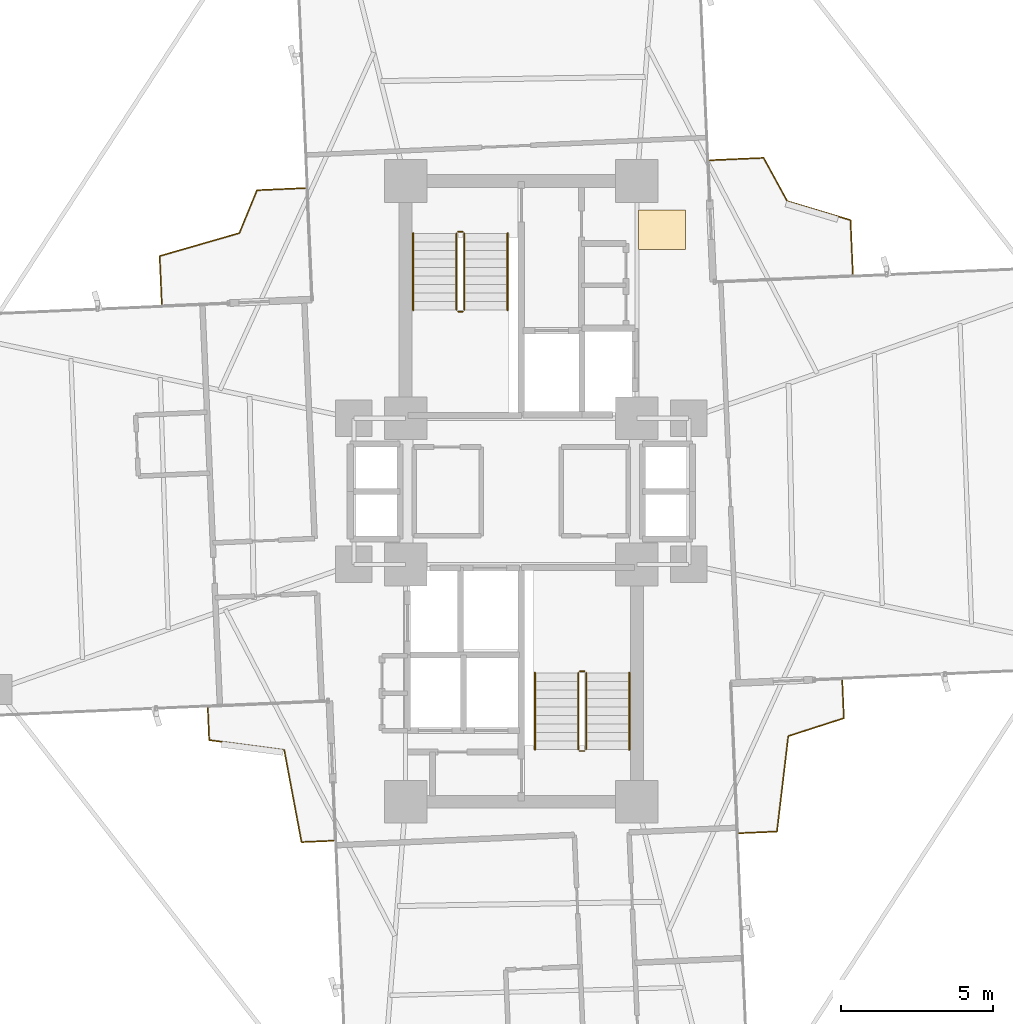
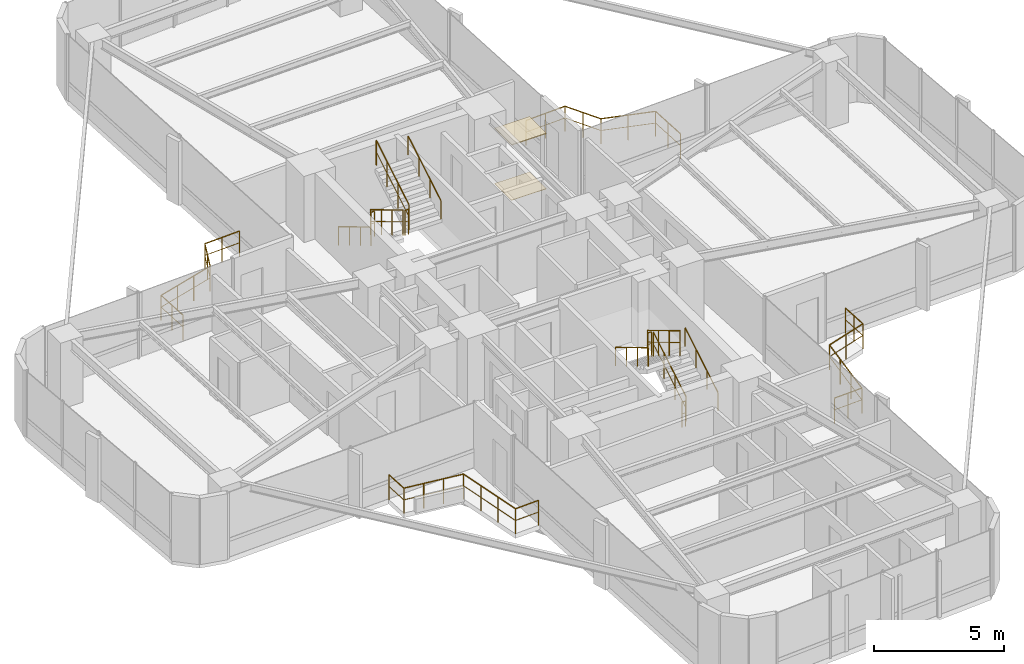
# One storey, part 26 of 26: 16 railings, 2 coverings.
"""IFC4 building model written with IfcOpenShell, lengths in metres."""

from ifc_helpers import new_model, si_unit, direction, frame, origin, origin_2d, place, context, subcontext, project, spatial, polyline, circle, outline, extrude, material, layer, layer_set, type_object, element, save


model = new_model("IFC4")

# Units and contexts
model_context = context("Model", 3, precision=1e-05, world=origin(), true_north=direction((0.0, 1.0)))
body_context = subcontext(model_context, "Body", "Model", "MODEL_VIEW")
ifc_project = project(units=[si_unit("LENGTHUNIT", "METRE"), si_unit("AREAUNIT", "SQUARE_METRE"), si_unit("VOLUMEUNIT", "CUBIC_METRE"), si_unit("PLANEANGLEUNIT", "RADIAN"), si_unit("MASSUNIT", "GRAM", prefix="KILO")], contexts=[model_context])

# Site, building, storey
site_placement = place(None, origin())
site = spatial("IfcSite", under=ifc_project, at=site_placement, CompositionType="ELEMENT")
building_placement = place(site_placement, origin())
building = spatial("IfcBuilding", under=site, at=building_placement, Name="Sahyath Konkavel Grand Hotel", CompositionType="ELEMENT")
storey_placement = place(building_placement, frame((0.0, 0.0, 121.5)))
storey = spatial("IfcBuildingStorey", under=building, at=storey_placement, Name="L33", CompositionType="ELEMENT", Elevation=121.5)

# Coverings
ifc_material_1 = material(Name="Perforated Acoustic Gypsum and Teak Baffle Ceiling")
ifc_layer_1 = layer(ifc_material_1, 0.044921875)
ifc_layer_set_1 = layer_set([ifc_layer_1], Name="Perforated Acoustic Gypsum and Teak Baffle Ceiling")
covering_type_1 = type_object("IfcCoveringType", Name="COV-ACOUSTIC-CLG", PredefinedType="CEILING", material=ifc_layer_set_1)
covering_1_placement = place(storey_placement, frame((0.0, 0.0, 2.590087890625)))
element("IfcCovering", 1, at=covering_1_placement, inside=storey, type_object=covering_type_1, Name="L33 Core Vestibule Acoustic Ceiling", PredefinedType="CEILING", context=body_context, shape_type="SweptSolid", body=[
    extrude(outline(polyline([(3.85009765625, 7.949951171875), (5.39990234375, 7.949951171875), (5.39990234375, 9.25), (3.85009765625, 9.25), (3.85009765625, 7.949951171875)])), origin(), (0.0, 0.0, 1.0), 0.039794921875),
])
ifc_material_2 = material(Name="Polished Konkan Aggregate Terrazzo Flooring")
ifc_layer_2 = layer(ifc_material_2, 0.02001953125)
ifc_layer_set_2 = layer_set([ifc_layer_2], Name="Polished Konkan Aggregate Terrazzo Flooring")
covering_type_2 = type_object("IfcCoveringType", Name="COV-TERRAZZO", PredefinedType="FLOORING", material=ifc_layer_set_2)
covering_2_placement = place(storey_placement, origin())
element("IfcCovering", 2, at=covering_2_placement, inside=storey, type_object=covering_type_2, Name="L33 Core Vestibule Terrazzo Flooring", PredefinedType="FLOORING", context=body_context, shape_type="SweptSolid", body=[
    extrude(outline(polyline([(3.85009765625, 7.949951171875), (5.39990234375, 7.949951171875), (5.39990234375, 9.25), (3.85009765625, 9.25), (3.85009765625, 7.949951171875)])), origin(), (0.0, 0.0, 1.0), 0.02001953125),
])

# Railings
ifc_material_3 = material(Name="Anodised Bronze Aluminium", Category="aluminium")
railing_type_1 = type_object("IfcRailingType", Name="RLG-BALC-1200", PredefinedType="GUARDRAIL", material=ifc_material_3)
railing_1_placement = place(storey_placement, frame((10.89697265625, 7.14208984375, 0.0)))
element("IfcRailing", 3, at=railing_1_placement, inside=storey, type_object=railing_type_1, Name="L33 Winter-Garden Guard NE", PredefinedType="GUARDRAIL", context=body_context, shape_type="SweptSolid", body=[
    extrude(circle(Radius=0.02392578125, at=origin_2d()), frame((0.0, 0.001953125, 1.17578125), z_axis=(-0.043747666042, 0.999042612563, 0.0), x_axis=(-0.999042612563, -0.043747666042, 0.0)), (0.0, 0.0, 1.0), 1.770751953125),
    extrude(circle(Radius=0.01416015625, at=origin_2d()), frame((0.0, 0.001953125, 0.6240234375), z_axis=(-0.043747666042, 0.999042612563, 0.0), x_axis=(-0.999042612563, -0.043747666042, 0.0)), (0.0, 0.0, 1.0), 1.770751953125),
    extrude(circle(Radius=0.02392578125, at=origin_2d()), frame((-0.07958984375, 1.7734375, 1.17578125), z_axis=(-0.957881991382, 0.287162132926, 0.0), x_axis=(-0.287162132926, -0.957881991382, 0.0)), (0.0, 0.0, 1.0), 2.16650390625),
    extrude(circle(Radius=0.01416015625, at=origin_2d()), frame((-0.07958984375, 1.7734375, 0.6240234375), z_axis=(-0.957881991382, 0.287162132926, 0.0), x_axis=(-0.287162132926, -0.957881991382, 0.0)), (0.0, 0.0, 1.0), 2.16650390625),
    extrude(circle(Radius=0.02392578125, at=origin_2d()), frame((-2.15771484375, 2.39794921875, 1.17578125), z_axis=(-0.479242888049, 0.877682319666, 0.0), x_axis=(-0.877682319666, -0.479242888049, 0.0)), (0.0, 0.0, 1.0), 1.615478515625),
    extrude(circle(Radius=0.01416015625, at=origin_2d()), frame((-2.15771484375, 2.39794921875, 0.6240234375), z_axis=(-0.479242888049, 0.877682319666, 0.0), x_axis=(-0.877682319666, -0.479242888049, 0.0)), (0.0, 0.0, 1.0), 1.615478515625),
    extrude(circle(Radius=0.02392578125, at=origin_2d()), frame((-2.934814453125, 3.817626953125, 1.17578125), z_axis=(-0.999048615823, -0.043610356818, 0.0), x_axis=(0.043610356818, -0.999048615823, 0.0)), (0.0, 0.0, 1.0), 1.770751953125),
    extrude(circle(Radius=0.01416015625, at=origin_2d()), frame((-2.934814453125, 3.817626953125, 0.6240234375), z_axis=(-0.999048615823, -0.043610356818, 0.0), x_axis=(0.043610356818, -0.999048615823, 0.0)), (0.0, 0.0, 1.0), 1.770751953125),
    extrude(circle(Radius=0.02099609375, at=origin_2d()), origin(), (0.0, 0.0, 1.0), 1.15185546875),
    extrude(circle(Radius=0.02099609375, at=origin_2d()), frame((-0.038818359375, 0.886474609375, 0.0)), (0.0, 0.0, 1.0), 1.15185546875),
    extrude(circle(Radius=0.02099609375, at=origin_2d()), frame((-0.07763671875, 1.77294921875, 0.0)), (0.0, 0.0, 1.0), 1.15185546875),
    extrude(circle(Radius=0.02099609375, at=origin_2d()), frame((-1.1171875, 2.08447265625, 0.0)), (0.0, 0.0, 1.0), 1.15185546875),
    extrude(circle(Radius=0.02099609375, at=origin_2d()), frame((-2.15673828125, 2.396240234375, 0.0)), (0.0, 0.0, 1.0), 1.15185546875),
    extrude(circle(Radius=0.02099609375, at=origin_2d()), frame((-2.544921875, 3.10693359375, 0.0)), (0.0, 0.0, 1.0), 1.15185546875),
    extrude(circle(Radius=0.02099609375, at=origin_2d()), frame((-2.932861328125, 3.817626953125, 0.0)), (0.0, 0.0, 1.0), 1.15185546875),
    extrude(circle(Radius=0.02099609375, at=origin_2d()), frame((-3.8193359375, 3.77880859375, 0.0)), (0.0, 0.0, 1.0), 1.15185546875),
    extrude(circle(Radius=0.02099609375, at=origin_2d()), frame((-4.705810546875, 3.740234375, 0.0)), (0.0, 0.0, 1.0), 1.15185546875),
])
railing_2_placement = place(storey_placement, frame((-7.1015625, 9.966796875, 0.0)))
element("IfcRailing", 4, at=railing_2_placement, inside=storey, type_object=railing_type_1, Name="L33 Winter-Garden Guard NW", PredefinedType="GUARDRAIL", context=body_context, shape_type="SweptSolid", body=[
    extrude(circle(Radius=0.02392578125, at=origin_2d()), frame((-0.001953125, 0.0, 1.17578125), z_axis=(-0.999048876488, -0.043604384955, 0.0), x_axis=(0.043604384955, -0.999048876488, 0.0)), (0.0, 0.0, 1.0), 1.58056640625),
    extrude(circle(Radius=0.01416015625, at=origin_2d()), frame((-0.001953125, 0.0, 0.6240234375), z_axis=(-0.999048876488, -0.043604384955, 0.0), x_axis=(0.043604384955, -0.999048876488, 0.0)), (0.0, 0.0, 1.0), 1.58056640625),
    extrude(circle(Radius=0.02392578125, at=origin_2d()), frame((-1.583740234375, -0.071044921875, 1.17578125), z_axis=(-0.379718101825, -0.925102244699, 0.0), x_axis=(0.925102244699, -0.379718101825, 0.0)), (0.0, 0.0, 1.0), 1.519775390625),
    extrude(circle(Radius=0.01416015625, at=origin_2d()), frame((-1.583740234375, -0.071044921875, 0.6240234375), z_axis=(-0.379718101825, -0.925102244699, 0.0), x_axis=(0.925102244699, -0.379718101825, 0.0)), (0.0, 0.0, 1.0), 1.519775390625),
    extrude(circle(Radius=0.02392578125, at=origin_2d()), frame((-2.16357421875, -1.479248046875, 1.17578125), z_axis=(-0.960913014378, -0.276850462884, 0.0), x_axis=(0.276850462884, -0.960913014378, 0.0)), (0.0, 0.0, 1.0), 2.720947265625),
    extrude(circle(Radius=0.01416015625, at=origin_2d()), frame((-2.16357421875, -1.479248046875, 0.6240234375), z_axis=(-0.960913014378, -0.276850462884, 0.0), x_axis=(0.276850462884, -0.960913014378, 0.0)), (0.0, 0.0, 1.0), 2.720947265625),
    extrude(circle(Radius=0.02392578125, at=origin_2d()), frame((-4.780029296875, -2.235107421875, 1.17578125), z_axis=(0.043604384955, -0.999048876488, 0.0), x_axis=(0.999048876488, 0.043604384955, 0.0)), (0.0, 0.0, 1.0), 1.58056640625),
    extrude(circle(Radius=0.01416015625, at=origin_2d()), frame((-4.780029296875, -2.235107421875, 0.6240234375), z_axis=(0.043604384955, -0.999048876488, 0.0), x_axis=(0.999048876488, 0.043604384955, 0.0)), (0.0, 0.0, 1.0), 1.58056640625),
    extrude(circle(Radius=0.02099609375, at=origin_2d()), origin(), (0.0, 0.0, 1.0), 1.15185546875),
    extrude(circle(Radius=0.02099609375, at=origin_2d()), frame((-0.79150390625, -0.03466796875, 0.0)), (0.0, 0.0, 1.0), 1.15185546875),
    extrude(circle(Radius=0.02099609375, at=origin_2d()), frame((-1.5830078125, -0.069091796875, 0.0)), (0.0, 0.0, 1.0), 1.15185546875),
    extrude(circle(Radius=0.02099609375, at=origin_2d()), frame((-1.872314453125, -0.77392578125, 0.0)), (0.0, 0.0, 1.0), 1.15185546875),
    extrude(circle(Radius=0.02099609375, at=origin_2d()), frame((-2.16162109375, -1.478759765625, 0.0)), (0.0, 0.0, 1.0), 1.15185546875),
    extrude(circle(Radius=0.02099609375, at=origin_2d()), frame((-3.034423828125, -1.730224609375, 0.0)), (0.0, 0.0, 1.0), 1.15185546875),
    extrude(circle(Radius=0.02099609375, at=origin_2d()), frame((-3.9072265625, -1.981689453125, 0.0)), (0.0, 0.0, 1.0), 1.15185546875),
    extrude(circle(Radius=0.02099609375, at=origin_2d()), frame((-4.780029296875, -2.233154296875, 0.0)), (0.0, 0.0, 1.0), 1.15185546875),
    extrude(circle(Radius=0.02099609375, at=origin_2d()), frame((-4.74560546875, -3.024658203125, 0.0)), (0.0, 0.0, 1.0), 1.15185546875),
    extrude(circle(Radius=0.02099609375, at=origin_2d()), frame((-4.7109375, -3.816162109375, 0.0)), (0.0, 0.0, 1.0), 1.15185546875),
])
railing_3_placement = place(storey_placement, frame((-10.301513671875, -7.1162109375, 0.0)))
element("IfcRailing", 5, at=railing_3_placement, inside=storey, type_object=railing_type_1, Name="L33 Winter-Garden Guard SW", PredefinedType="GUARDRAIL", context=body_context, shape_type="SweptSolid", body=[
    extrude(circle(Radius=0.02392578125, at=origin_2d()), frame((0.0, -0.001953125, 1.17578125), z_axis=(0.043637615768, -0.999047425546, 0.0), x_axis=(0.999047425546, 0.043637615768, 0.0)), (0.0, 0.0, 1.0), 1.053466796875),
    extrude(circle(Radius=0.01416015625, at=origin_2d()), frame((0.0, -0.001953125, 0.6240234375), z_axis=(0.043637615768, -0.999047425546, 0.0), x_axis=(0.999047425546, 0.043637615768, 0.0)), (0.0, 0.0, 1.0), 1.053466796875),
    extrude(circle(Radius=0.02392578125, at=origin_2d()), frame((0.048095703125, -1.056640625, 1.17578125), z_axis=(0.991318503654, -0.13148241066, 0.0), x_axis=(0.13148241066, 0.991318503654, 0.0)), (0.0, 0.0, 1.0), 2.484130859375),
    extrude(circle(Radius=0.01416015625, at=origin_2d()), frame((0.048095703125, -1.056640625, 0.6240234375), z_axis=(0.991318503654, -0.13148241066, 0.0), x_axis=(0.13148241066, 0.991318503654, 0.0)), (0.0, 0.0, 1.0), 2.484130859375),
    extrude(circle(Radius=0.02392578125, at=origin_2d()), frame((2.51318359375, -1.385498046875, 1.17578125), z_axis=(0.184322070095, -0.982865898521, 0.0), x_axis=(0.982865898521, 0.184322070095, 0.0)), (0.0, 0.0, 1.0), 3.072998046875),
    extrude(circle(Radius=0.01416015625, at=origin_2d()), frame((2.51318359375, -1.385498046875, 0.6240234375), z_axis=(0.184322070095, -0.982865898521, 0.0), x_axis=(0.982865898521, 0.184322070095, 0.0)), (0.0, 0.0, 1.0), 3.072998046875),
    extrude(circle(Radius=0.02392578125, at=origin_2d()), frame((3.081787109375, -4.40771484375, 1.17578125), z_axis=(0.999047425546, 0.043637615768, 0.0), x_axis=(-0.043637615768, 0.999047425546, 0.0)), (0.0, 0.0, 1.0), 1.053466796875),
    extrude(circle(Radius=0.01416015625, at=origin_2d()), frame((3.081787109375, -4.40771484375, 0.6240234375), z_axis=(0.999047425546, 0.043637615768, 0.0), x_axis=(-0.043637615768, 0.999047425546, 0.0)), (0.0, 0.0, 1.0), 1.053466796875),
    extrude(circle(Radius=0.02099609375, at=origin_2d()), origin(), (0.0, 0.0, 1.0), 1.15185546875),
    extrude(circle(Radius=0.02099609375, at=origin_2d()), frame((0.046142578125, -1.056396484375, 0.0)), (0.0, 0.0, 1.0), 1.15185546875),
    extrude(circle(Radius=0.02099609375, at=origin_2d()), frame((0.868408203125, -1.16552734375, 0.0)), (0.0, 0.0, 1.0), 1.15185546875),
    extrude(circle(Radius=0.02099609375, at=origin_2d()), frame((1.6904296875, -1.2744140625, 0.0)), (0.0, 0.0, 1.0), 1.15185546875),
    extrude(circle(Radius=0.02099609375, at=origin_2d()), frame((2.5126953125, -1.383544921875, 0.0)), (0.0, 0.0, 1.0), 1.15185546875),
    extrude(circle(Radius=0.02099609375, at=origin_2d()), frame((2.70166015625, -2.3916015625, 0.0)), (0.0, 0.0, 1.0), 1.15185546875),
    extrude(circle(Radius=0.02099609375, at=origin_2d()), frame((2.890869140625, -3.399658203125, 0.0)), (0.0, 0.0, 1.0), 1.15185546875),
    extrude(circle(Radius=0.02099609375, at=origin_2d()), frame((3.079833984375, -4.40771484375, 0.0)), (0.0, 0.0, 1.0), 1.15185546875),
    extrude(circle(Radius=0.02099609375, at=origin_2d()), frame((4.13623046875, -4.361572265625, 0.0)), (0.0, 0.0, 1.0), 1.15185546875),
])
railing_4_placement = place(storey_placement, frame((7.15673828125, -11.2314453125, 0.0)))
element("IfcRailing", 6, at=railing_4_placement, inside=storey, type_object=railing_type_1, Name="L33 Winter-Garden Guard SE", PredefinedType="GUARDRAIL", context=body_context, shape_type="SweptSolid", body=[
    extrude(circle(Radius=0.02392578125, at=origin_2d()), frame((0.001953125, 0.0, 1.17578125), z_axis=(0.999047275688, 0.043641046519, 0.0), x_axis=(-0.043641046519, 0.999047275688, 0.0)), (0.0, 0.0, 1.0), 1.243408203125),
    extrude(circle(Radius=0.01416015625, at=origin_2d()), frame((0.001953125, 0.0, 0.6240234375), z_axis=(0.999047275688, 0.043641046519, 0.0), x_axis=(-0.043641046519, 0.999047275688, 0.0)), (0.0, 0.0, 1.0), 1.243408203125),
    extrude(circle(Radius=0.02392578125, at=origin_2d()), frame((1.24658203125, 0.056396484375, 1.17578125), z_axis=(0.117819032013, 0.993035082812, 0.0), x_axis=(-0.993035082812, 0.117819032013, 0.0)), (0.0, 0.0, 1.0), 3.154052734375),
    extrude(circle(Radius=0.01416015625, at=origin_2d()), frame((1.24658203125, 0.056396484375, 0.6240234375), z_axis=(0.117819032013, 0.993035082812, 0.0), x_axis=(-0.993035082812, 0.117819032013, 0.0)), (0.0, 0.0, 1.0), 3.154052734375),
    extrude(circle(Radius=0.02392578125, at=origin_2d()), frame((1.620361328125, 3.191162109375, 1.17578125), z_axis=(0.951778123409, 0.306787228874, 0.0), x_axis=(-0.306787228874, 0.951778123409, 0.0)), (0.0, 0.0, 1.0), 1.91552734375),
    extrude(circle(Radius=0.01416015625, at=origin_2d()), frame((1.620361328125, 3.191162109375, 0.6240234375), z_axis=(0.951778123409, 0.306787228874, 0.0), x_axis=(-0.306787228874, 0.951778123409, 0.0)), (0.0, 0.0, 1.0), 1.91552734375),
    extrude(circle(Radius=0.02392578125, at=origin_2d()), frame((3.4453125, 3.78125, 1.17578125), z_axis=(-0.043641046519, 0.999047275688, 0.0), x_axis=(-0.999047275688, -0.043641046519, 0.0)), (0.0, 0.0, 1.0), 1.243408203125),
    extrude(circle(Radius=0.01416015625, at=origin_2d()), frame((3.4453125, 3.78125, 0.6240234375), z_axis=(-0.043641046519, 0.999047275688, 0.0), x_axis=(-0.999047275688, -0.043641046519, 0.0)), (0.0, 0.0, 1.0), 1.243408203125),
    extrude(circle(Radius=0.02099609375, at=origin_2d()), origin(), (0.0, 0.0, 1.0), 1.15185546875),
    extrude(circle(Radius=0.02099609375, at=origin_2d()), frame((0.623046875, 0.02734375, 0.0)), (0.0, 0.0, 1.0), 1.15185546875),
    extrude(circle(Radius=0.02099609375, at=origin_2d()), frame((1.246337890625, 0.054443359375, 0.0)), (0.0, 0.0, 1.0), 1.15185546875),
    extrude(circle(Radius=0.02099609375, at=origin_2d()), frame((1.370361328125, 1.099853515625, 0.0)), (0.0, 0.0, 1.0), 1.15185546875),
    extrude(circle(Radius=0.02099609375, at=origin_2d()), frame((1.494384765625, 2.14501953125, 0.0)), (0.0, 0.0, 1.0), 1.15185546875),
    extrude(circle(Radius=0.02099609375, at=origin_2d()), frame((1.618408203125, 3.1904296875, 0.0)), (0.0, 0.0, 1.0), 1.15185546875),
    extrude(circle(Radius=0.02099609375, at=origin_2d()), frame((2.53173828125, 3.48486328125, 0.0)), (0.0, 0.0, 1.0), 1.15185546875),
    extrude(circle(Radius=0.02099609375, at=origin_2d()), frame((3.4453125, 3.779296875, 0.0)), (0.0, 0.0, 1.0), 1.15185546875),
    extrude(circle(Radius=0.02099609375, at=origin_2d()), frame((3.41796875, 4.40234375, 0.0)), (0.0, 0.0, 1.0), 1.15185546875),
    extrude(circle(Radius=0.02099609375, at=origin_2d()), frame((3.390869140625, 5.025634765625, 0.0)), (0.0, 0.0, 1.0), 1.15185546875),
])
ifc_material_4 = material(Name="Steel E350", Category="steel")
railing_type_2 = type_object("IfcRailingType", Name="RLG-STAIR-GRD", PredefinedType="GUARDRAIL", material=ifc_material_4)
railing_5_placement = place(storey_placement, frame((-2.1298828125, 8.47998046875, 0.16748046875)))
element("IfcRailing", 7, at=railing_5_placement, inside=storey, type_object=railing_type_2, Name="L33 ST-1 stair guard 1", PredefinedType="GUARDRAIL", context=body_context, shape_type="SweptSolid", body=[
    extrude(circle(Radius=0.02392578125, at=origin_2d()), frame((0.0, -0.001708984375, 1.177001953125), z_axis=(0.0, -0.858159760407, 0.513382728203), x_axis=(1.0, 0.0, 0.0)), (0.0, 0.0, 1.0), 2.9326171875),
    extrude(circle(Radius=0.01416015625, at=origin_2d()), frame((0.0, -0.001708984375, 0.625), z_axis=(0.0, -0.858159760407, 0.513382728203), x_axis=(1.0, 0.0, 0.0)), (0.0, 0.0, 1.0), 2.9326171875),
    extrude(circle(Radius=0.02099609375, at=origin_2d()), origin(), (0.0, 0.0, 1.0), 1.15185546875),
    extrude(circle(Radius=0.02099609375, at=origin_2d()), frame((0.0, -0.840087890625, 0.50244140625)), (0.0, 0.0, 1.0), 1.15185546875),
    extrude(circle(Radius=0.02099609375, at=origin_2d()), frame((0.0, -1.679931640625, 1.005126953125)), (0.0, 0.0, 1.0), 1.15185546875),
    extrude(circle(Radius=0.02099609375, at=origin_2d()), frame((0.0, -2.52001953125, 1.507568359375)), (0.0, 0.0, 1.0), 1.15185546875),
])
railing_6_placement = place(storey_placement, frame((-2.080078125, 5.909912109375, 1.675048828125)))
element("IfcRailing", 8, at=railing_6_placement, inside=storey, type_object=railing_type_2, Name="L33 ST-1 stair guard 2", PredefinedType="GUARDRAIL", context=body_context, shape_type="SweptSolid", body=[
    extrude(circle(Radius=0.02392578125, at=origin_2d()), frame((0.001953125, 0.0, 1.17578125), z_axis=(1.0, 0.0, 0.0), x_axis=(0.0, 1.0, 0.0)), (0.0, 0.0, 1.0), 0.15625),
    extrude(circle(Radius=0.01416015625, at=origin_2d()), frame((0.001953125, 0.0, 0.6240234375), z_axis=(1.0, 0.0, 0.0), x_axis=(0.0, 1.0, 0.0)), (0.0, 0.0, 1.0), 0.15625),
    extrude(circle(Radius=0.02099609375, at=origin_2d()), origin(), (0.0, 0.0, 1.0), 1.15185546875),
    extrude(circle(Radius=0.02099609375, at=origin_2d()), frame((0.16015625, 0.0, 0.0)), (0.0, 0.0, 1.0), 1.15185546875),
])
railing_7_placement = place(storey_placement, frame((-1.8701171875, 5.9599609375, 1.842529296875)))
element("IfcRailing", 9, at=railing_7_placement, inside=storey, type_object=railing_type_2, Name="L33 ST-1 stair guard 3", PredefinedType="GUARDRAIL", context=body_context, shape_type="SweptSolid", body=[
    extrude(circle(Radius=0.02392578125, at=origin_2d()), frame((0.0, 0.001708984375, 1.177001953125), z_axis=(0.0, 0.858159760407, 0.513382728203), x_axis=(-1.0, 0.0, 0.0)), (0.0, 0.0, 1.0), 2.9326171875),
    extrude(circle(Radius=0.01416015625, at=origin_2d()), frame((0.0, 0.001708984375, 0.625), z_axis=(0.0, 0.858159760407, 0.513382728203), x_axis=(-1.0, 0.0, 0.0)), (0.0, 0.0, 1.0), 2.9326171875),
    extrude(circle(Radius=0.02099609375, at=origin_2d()), origin(), (0.0, 0.0, 1.0), 1.15185546875),
    extrude(circle(Radius=0.02099609375, at=origin_2d()), frame((0.0, 0.840087890625, 0.50244140625)), (0.0, 0.0, 1.0), 1.15185546875),
    extrude(circle(Radius=0.02099609375, at=origin_2d()), frame((0.0, 1.679931640625, 1.005126953125)), (0.0, 0.0, 1.0), 1.15185546875),
    extrude(circle(Radius=0.02099609375, at=origin_2d()), frame((0.0, 2.52001953125, 1.507568359375)), (0.0, 0.0, 1.0), 1.15185546875),
])
railing_8_placement = place(storey_placement, frame((-2.080078125, 8.530029296875, 0.0)))
element("IfcRailing", 10, at=railing_8_placement, inside=storey, type_object=railing_type_2, Name="L33 ST-1 stair guard 4", PredefinedType="GUARDRAIL", context=body_context, shape_type="SweptSolid", body=[
    extrude(circle(Radius=0.02392578125, at=origin_2d()), frame((0.001953125, 0.0, 1.17578125), z_axis=(1.0, 0.0, 0.0), x_axis=(0.0, 1.0, 0.0)), (0.0, 0.0, 1.0), 0.15625),
    extrude(circle(Radius=0.01416015625, at=origin_2d()), frame((0.001953125, 0.0, 0.6240234375), z_axis=(1.0, 0.0, 0.0), x_axis=(0.0, 1.0, 0.0)), (0.0, 0.0, 1.0), 0.15625),
    extrude(circle(Radius=0.02099609375, at=origin_2d()), origin(), (0.0, 0.0, 1.0), 1.15185546875),
    extrude(circle(Radius=0.02099609375, at=origin_2d()), frame((0.16015625, 0.0, 0.0)), (0.0, 0.0, 1.0), 1.15185546875),
])
railing_9_placement = place(storey_placement, frame((2.1298828125, -8.47998046875, 0.16748046875)))
element("IfcRailing", 11, at=railing_9_placement, inside=storey, type_object=railing_type_2, Name="L33 ST-2 stair guard 1", PredefinedType="GUARDRAIL", context=body_context, shape_type="SweptSolid", body=[
    extrude(circle(Radius=0.02392578125, at=origin_2d()), frame((0.0, 0.001708984375, 1.177001953125), z_axis=(0.0, 0.858159760407, 0.513382728203), x_axis=(-1.0, 0.0, 0.0)), (0.0, 0.0, 1.0), 2.9326171875),
    extrude(circle(Radius=0.01416015625, at=origin_2d()), frame((0.0, 0.001708984375, 0.625), z_axis=(0.0, 0.858159760407, 0.513382728203), x_axis=(-1.0, 0.0, 0.0)), (0.0, 0.0, 1.0), 2.9326171875),
    extrude(circle(Radius=0.02099609375, at=origin_2d()), origin(), (0.0, 0.0, 1.0), 1.15185546875),
    extrude(circle(Radius=0.02099609375, at=origin_2d()), frame((0.0, 0.840087890625, 0.50244140625)), (0.0, 0.0, 1.0), 1.15185546875),
    extrude(circle(Radius=0.02099609375, at=origin_2d()), frame((0.0, 1.679931640625, 1.005126953125)), (0.0, 0.0, 1.0), 1.15185546875),
    extrude(circle(Radius=0.02099609375, at=origin_2d()), frame((0.0, 2.52001953125, 1.507568359375)), (0.0, 0.0, 1.0), 1.15185546875),
])
railing_10_placement = place(storey_placement, frame((2.080078125, -5.909912109375, 1.675048828125)))
element("IfcRailing", 12, at=railing_10_placement, inside=storey, type_object=railing_type_2, Name="L33 ST-2 stair guard 2", PredefinedType="GUARDRAIL", context=body_context, shape_type="SweptSolid", body=[
    extrude(circle(Radius=0.02392578125, at=origin_2d()), frame((-0.001953125, 0.0, 1.17578125), z_axis=(-1.0, 0.0, 0.0), x_axis=(0.0, -1.0, 0.0)), (0.0, 0.0, 1.0), 0.15625),
    extrude(circle(Radius=0.01416015625, at=origin_2d()), frame((-0.001953125, 0.0, 0.6240234375), z_axis=(-1.0, 0.0, 0.0), x_axis=(0.0, -1.0, 0.0)), (0.0, 0.0, 1.0), 0.15625),
    extrude(circle(Radius=0.02099609375, at=origin_2d()), origin(), (0.0, 0.0, 1.0), 1.15185546875),
    extrude(circle(Radius=0.02099609375, at=origin_2d()), frame((-0.16015625, 0.0, 0.0)), (0.0, 0.0, 1.0), 1.15185546875),
])
railing_11_placement = place(storey_placement, frame((1.8701171875, -5.9599609375, 1.842529296875)))
element("IfcRailing", 13, at=railing_11_placement, inside=storey, type_object=railing_type_2, Name="L33 ST-2 stair guard 3", PredefinedType="GUARDRAIL", context=body_context, shape_type="SweptSolid", body=[
    extrude(circle(Radius=0.02392578125, at=origin_2d()), frame((0.0, -0.001708984375, 1.177001953125), z_axis=(0.0, -0.858159760407, 0.513382728203), x_axis=(1.0, 0.0, 0.0)), (0.0, 0.0, 1.0), 2.9326171875),
    extrude(circle(Radius=0.01416015625, at=origin_2d()), frame((0.0, -0.001708984375, 0.625), z_axis=(0.0, -0.858159760407, 0.513382728203), x_axis=(1.0, 0.0, 0.0)), (0.0, 0.0, 1.0), 2.9326171875),
    extrude(circle(Radius=0.02099609375, at=origin_2d()), origin(), (0.0, 0.0, 1.0), 1.15185546875),
    extrude(circle(Radius=0.02099609375, at=origin_2d()), frame((0.0, -0.840087890625, 0.50244140625)), (0.0, 0.0, 1.0), 1.15185546875),
    extrude(circle(Radius=0.02099609375, at=origin_2d()), frame((0.0, -1.679931640625, 1.005126953125)), (0.0, 0.0, 1.0), 1.15185546875),
    extrude(circle(Radius=0.02099609375, at=origin_2d()), frame((0.0, -2.52001953125, 1.507568359375)), (0.0, 0.0, 1.0), 1.15185546875),
])
railing_12_placement = place(storey_placement, frame((2.080078125, -8.530029296875, 0.0)))
element("IfcRailing", 14, at=railing_12_placement, inside=storey, type_object=railing_type_2, Name="L33 ST-2 stair guard 4", PredefinedType="GUARDRAIL", context=body_context, shape_type="SweptSolid", body=[
    extrude(circle(Radius=0.02392578125, at=origin_2d()), frame((-0.001953125, 0.0, 1.17578125), z_axis=(-1.0, 0.0, 0.0), x_axis=(0.0, -1.0, 0.0)), (0.0, 0.0, 1.0), 0.15625),
    extrude(circle(Radius=0.01416015625, at=origin_2d()), frame((-0.001953125, 0.0, 0.6240234375), z_axis=(-1.0, 0.0, 0.0), x_axis=(0.0, -1.0, 0.0)), (0.0, 0.0, 1.0), 0.15625),
    extrude(circle(Radius=0.02099609375, at=origin_2d()), origin(), (0.0, 0.0, 1.0), 1.15185546875),
    extrude(circle(Radius=0.02099609375, at=origin_2d()), frame((-0.16015625, 0.0, 0.0)), (0.0, 0.0, 1.0), 1.15185546875),
])
railing_type_3 = type_object("IfcRailingType", Name="RLG-STAIR-HND", PredefinedType="HANDRAIL", material=ifc_material_3)
railing_13_placement = place(storey_placement, frame((-3.550048828125, 8.47998046875, 0.16748046875)))
element("IfcRailing", 15, at=railing_13_placement, inside=storey, type_object=railing_type_3, Name="L33 ST-1 stair handrail 1", PredefinedType="HANDRAIL", context=body_context, shape_type="SweptSolid", body=[
    extrude(circle(Radius=0.02392578125, at=origin_2d()), frame((0.0, -0.001708984375, 0.876953125), z_axis=(0.0, -0.858159760407, 0.513382728203), x_axis=(1.0, 0.0, 0.0)), (0.0, 0.0, 1.0), 2.9326171875),
    extrude(circle(Radius=0.02099609375, at=origin_2d()), origin(), (0.0, 0.0, 1.0), 0.851806640625),
    extrude(circle(Radius=0.02099609375, at=origin_2d()), frame((0.0, -0.840087890625, 0.50244140625)), (0.0, 0.0, 1.0), 0.851806640625),
    extrude(circle(Radius=0.02099609375, at=origin_2d()), frame((0.0, -1.679931640625, 1.005126953125)), (0.0, 0.0, 1.0), 0.851806640625),
    extrude(circle(Radius=0.02099609375, at=origin_2d()), frame((0.0, -2.52001953125, 1.507568359375)), (0.0, 0.0, 1.0), 0.851806640625),
])
for number, where, name in (
    (16, (-0.449951171875, 5.9599609375, 1.842529296875), "L33 ST-1 stair handrail 2"),
    (17, (3.550048828125, -8.47998046875, 0.16748046875), "L33 ST-2 stair handrail 1"),
):
    element("IfcRailing", number, at=place(storey_placement, frame(where)), inside=storey, type_object=railing_type_3, Name=name, PredefinedType="HANDRAIL", context=body_context, shape_type="SweptSolid", body=[
        extrude(circle(Radius=0.02392578125, at=origin_2d()), frame((0.0, 0.001708984375, 0.876953125), z_axis=(0.0, 0.858159760407, 0.513382728203), x_axis=(-1.0, 0.0, 0.0)), (0.0, 0.0, 1.0), 2.9326171875),
        extrude(circle(Radius=0.02099609375, at=origin_2d()), origin(), (0.0, 0.0, 1.0), 0.851806640625),
        extrude(circle(Radius=0.02099609375, at=origin_2d()), frame((0.0, 0.840087890625, 0.50244140625)), (0.0, 0.0, 1.0), 0.851806640625),
        extrude(circle(Radius=0.02099609375, at=origin_2d()), frame((0.0, 1.679931640625, 1.005126953125)), (0.0, 0.0, 1.0), 0.851806640625),
        extrude(circle(Radius=0.02099609375, at=origin_2d()), frame((0.0, 2.52001953125, 1.507568359375)), (0.0, 0.0, 1.0), 0.851806640625),
    ])
railing_14_placement = place(storey_placement, frame((0.449951171875, -5.9599609375, 1.842529296875)))
element("IfcRailing", 18, at=railing_14_placement, inside=storey, type_object=railing_type_3, Name="L33 ST-2 stair handrail 2", PredefinedType="HANDRAIL", context=body_context, shape_type="SweptSolid", body=[
    extrude(circle(Radius=0.02392578125, at=origin_2d()), frame((0.0, -0.001708984375, 0.876953125), z_axis=(0.0, -0.858159760407, 0.513382728203), x_axis=(1.0, 0.0, 0.0)), (0.0, 0.0, 1.0), 2.9326171875),
    extrude(circle(Radius=0.02099609375, at=origin_2d()), origin(), (0.0, 0.0, 1.0), 0.851806640625),
    extrude(circle(Radius=0.02099609375, at=origin_2d()), frame((0.0, -0.840087890625, 0.50244140625)), (0.0, 0.0, 1.0), 0.851806640625),
    extrude(circle(Radius=0.02099609375, at=origin_2d()), frame((0.0, -1.679931640625, 1.005126953125)), (0.0, 0.0, 1.0), 0.851806640625),
    extrude(circle(Radius=0.02099609375, at=origin_2d()), frame((0.0, -2.52001953125, 1.507568359375)), (0.0, 0.0, 1.0), 0.851806640625),
])

save(model, "model.ifc")
